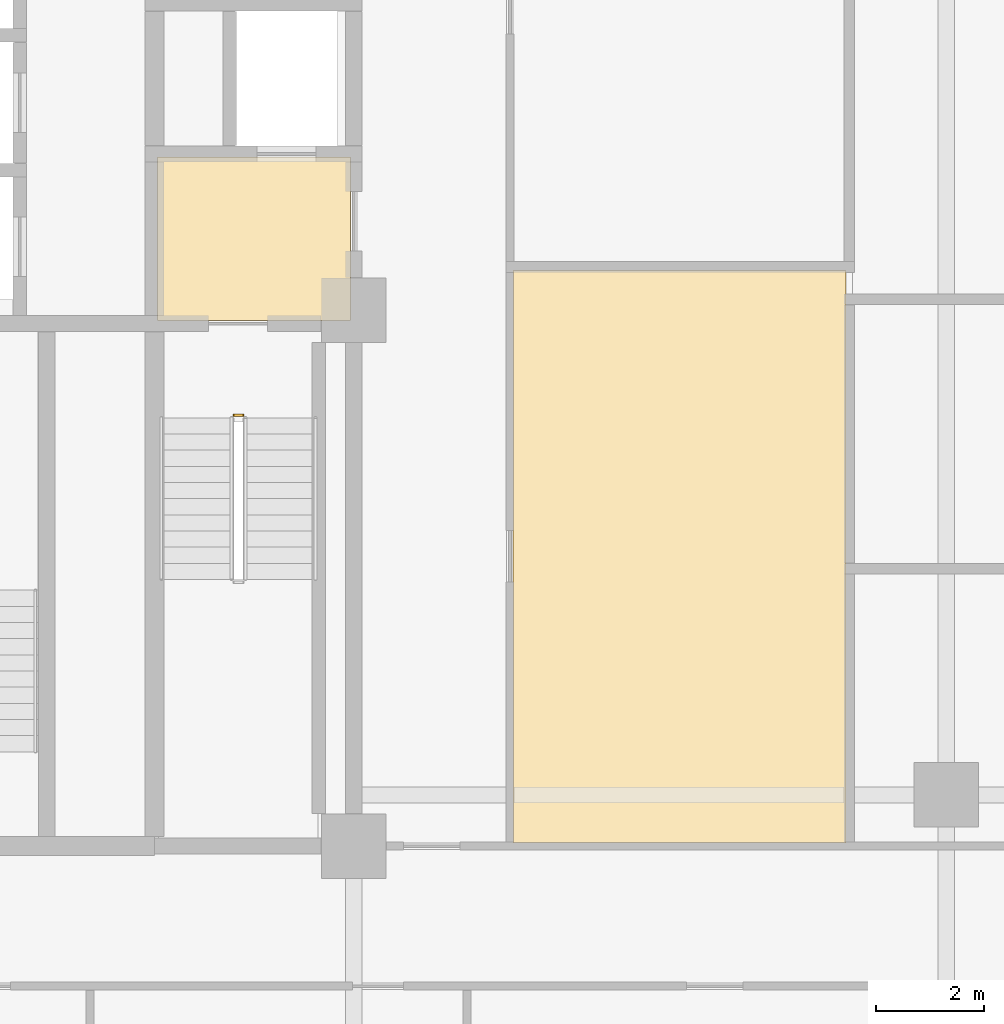
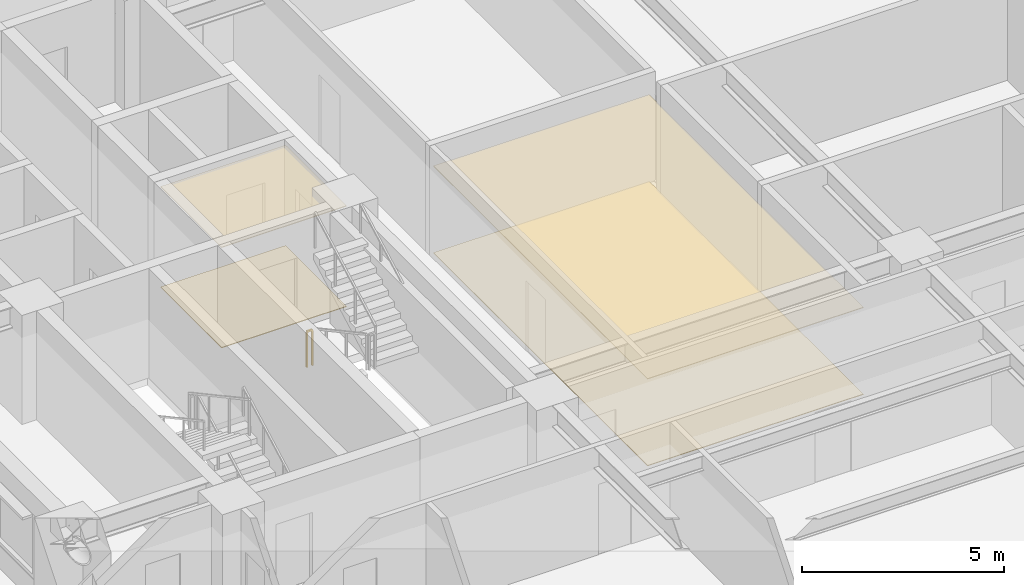
# One storey, part 11 of 15: 4 coverings, 1 railing.
"""IFC4 building model written with IfcOpenShell, lengths in metres."""

from ifc_helpers import new_model, si_unit, direction, frame, origin, origin_2d, place, context, subcontext, project, spatial, polyline, rectangle, outline, extrude, material, layer, layer_set, type_object, element, save


model = new_model("IFC4")

# Units and contexts
model_context = context("Model", 3, precision=1e-05, world=origin(), true_north=direction((0.0, 1.0)))
body_context = subcontext(model_context, "Body", "Model", "MODEL_VIEW")
ifc_project = project(units=[si_unit("LENGTHUNIT", "METRE"), si_unit("AREAUNIT", "SQUARE_METRE"), si_unit("VOLUMEUNIT", "CUBIC_METRE"), si_unit("PLANEANGLEUNIT", "RADIAN"), si_unit("MASSUNIT", "GRAM", prefix="KILO")], contexts=[model_context])

# Site, building, storey
site_placement = place(None, origin())
site = spatial("IfcSite", under=ifc_project, at=site_placement, CompositionType="ELEMENT")
building_placement = place(site_placement, origin())
building = spatial("IfcBuilding", under=site, at=building_placement, Name="Zulmaris Gate Convention Tower", CompositionType="ELEMENT")
storey_placement = place(building_placement, frame((0.0, 0.0, 37.909912109375)))
storey = spatial("IfcBuildingStorey", under=building, at=storey_placement, Name="L08", CompositionType="ELEMENT", Elevation=37.909912109375)

# Coverings
ifc_material_1 = material(Name="Mineral Fibre Acoustic Ceiling Tile")
ifc_layer_1 = layer(ifc_material_1, 0.02001953125, Name="Mineral Fibre Acoustic Ceiling Tile")
ifc_layer_set_1 = layer_set([ifc_layer_1], Name="Mineral Fibre Acoustic Ceiling Tile")
covering_type_1 = type_object("IfcCoveringType", Name="CLG-ACOUSTIC-600", PredefinedType="CEILING", material=ifc_layer_set_1)
covering_1_placement = place(storey_placement, frame((0.0, 0.0, 3.0400390625)))
element("IfcCovering", 1, at=covering_1_placement, inside=storey, type_object=covering_type_1, Name="CLG-L08-R03", PredefinedType="CEILING", context=body_context, shape_type="SweptSolid", body=[
    extrude(outline(polyline([(-14.639892578125, -0.18994140625), (-11.06005859375, -0.18994140625), (-11.06005859375, 2.840087890625), (-14.639892578125, 2.840087890625), (-14.639892578125, -0.18994140625)])), origin(), (0.0, 0.0, 1.0), 0.02001953125),
])
covering_2_placement = place(storey_placement, frame((0.0, 0.0, 2.628173828125)))
element("IfcCovering", 2, at=covering_2_placement, inside=storey, type_object=covering_type_1, Name="CLG-L08-R48", PredefinedType="CEILING", context=body_context, shape_type="SweptSolid", body=[
    extrude(outline(polyline([(-8.0400390625, -9.889892578125), (-1.860107421875, -9.889892578125), (-1.860107421875, 0.739990234375), (-8.0400390625, 0.739990234375), (-8.0400390625, -9.889892578125)])), origin(), (0.0, 0.0, 1.0), 0.02001953125),
])
ifc_material_2 = material(Name="Woven Acoustic Wool Carpet Tile")
ifc_layer_2 = layer(ifc_material_2, 0.02001953125, Name="Woven Acoustic Wool Carpet Tile")
ifc_layer_set_2 = layer_set([ifc_layer_2], Name="Woven Acoustic Wool Carpet Tile")
covering_type_2 = type_object("IfcCoveringType", Name="FLR-CARPET-12", PredefinedType="FLOORING", material=ifc_layer_set_2)
covering_3_placement = place(storey_placement, origin())
element("IfcCovering", 3, at=covering_3_placement, inside=storey, type_object=covering_type_2, Name="FLR-L08-R03", PredefinedType="FLOORING", context=body_context, shape_type="SweptSolid", body=[
    extrude(outline(polyline([(-14.639892578125, -0.18994140625), (-11.06005859375, -0.18994140625), (-11.06005859375, 2.840087890625), (-14.639892578125, 2.840087890625), (-14.639892578125, -0.18994140625)])), origin(), (0.0, 0.0, 1.0), 0.02001953125),
])
covering_4_placement = place(storey_placement, origin())
element("IfcCovering", 4, at=covering_4_placement, inside=storey, type_object=covering_type_2, Name="FLR-L08-R48", PredefinedType="FLOORING", context=body_context, shape_type="SweptSolid", body=[
    extrude(outline(polyline([(-8.0400390625, -9.889892578125), (-1.860107421875, -9.889892578125), (-1.860107421875, 0.739990234375), (-8.0400390625, 0.739990234375), (-8.0400390625, -9.889892578125)])), origin(), (0.0, 0.0, 1.0), 0.02001953125),
])

# Railing
ifc_material_3 = material(Name="Painted Galvanised Steel", Category="steel")
railing_type = type_object("IfcRailingType", Name="RL-STG-1150", PredefinedType="GUARDRAIL", material=ifc_material_3)
railing_placement = place(storey_placement, frame((-13.219970703125, -1.949951171875, 0.0)))
element("IfcRailing", 5, at=railing_placement, inside=storey, type_object=railing_type, Name="L08 ST-1 stair guard 4", PredefinedType="GUARDRAIL", context=body_context, shape_type="SweptSolid", body=[
    extrude(rectangle(XDim=0.048095703125, YDim=0.048095703125, at=origin_2d()), frame((0.0, 0.0, 1.076171875), z_axis=(1.0, 0.0, 0.0), x_axis=(0.0, 1.0, 0.0)), (0.0, 0.0, 1.0), 0.159912109375),
    extrude(rectangle(XDim=0.0419921875, YDim=0.0419921875, at=origin_2d()), origin(), (0.0, 0.0, 1.0), 1.052001953125),
    extrude(rectangle(XDim=0.0419921875, YDim=0.0419921875, at=origin_2d()), frame((0.159912109375, 0.0, 0.0)), (0.0, 0.0, 1.0), 1.052001953125),
])

save(model, "model.ifc")
